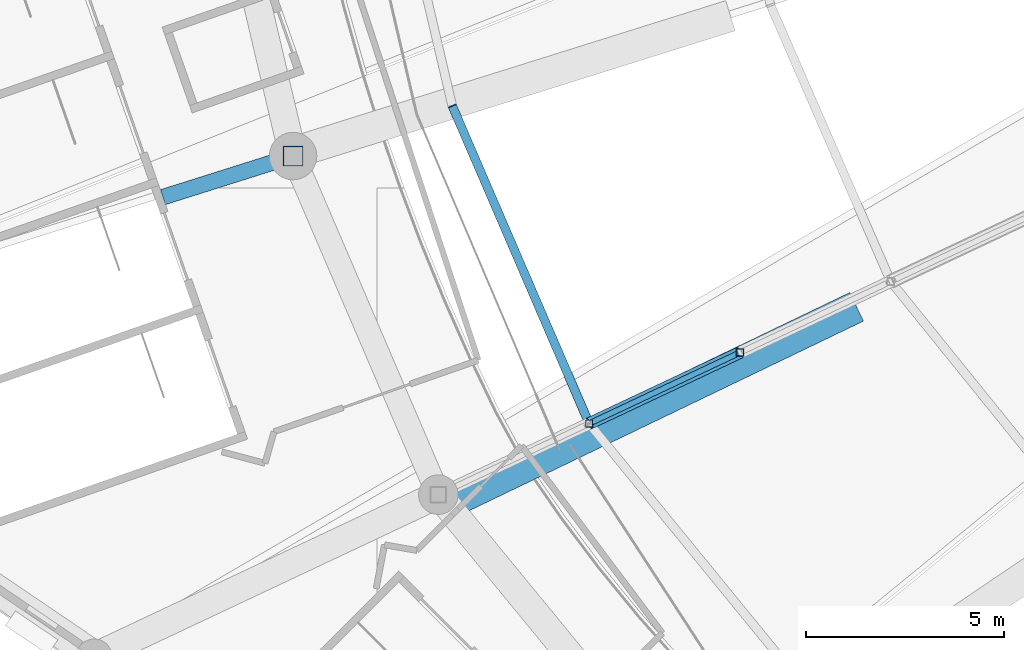
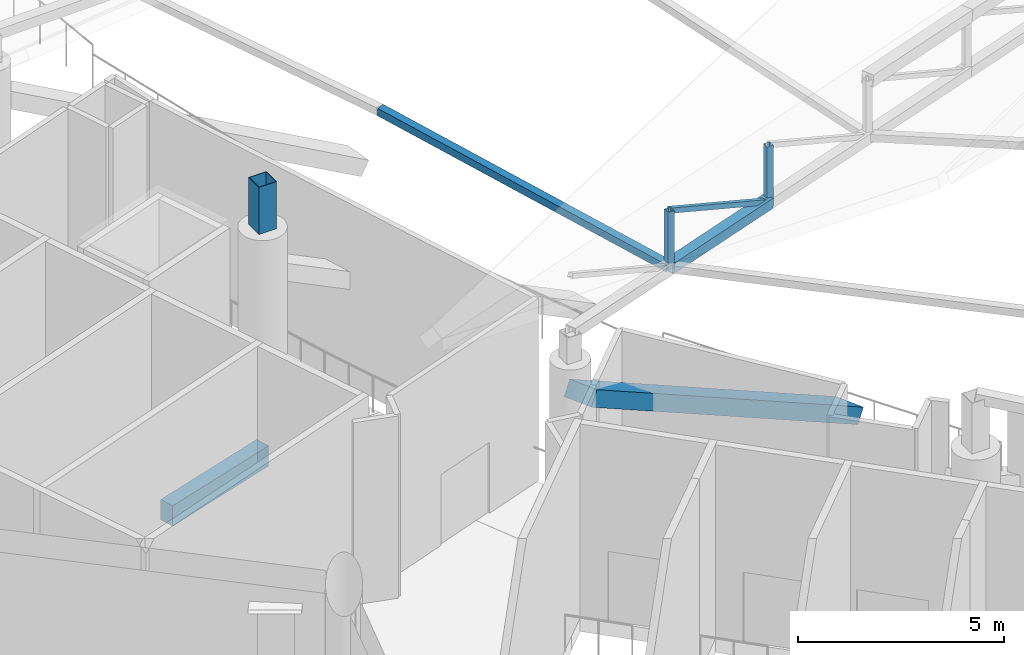
# One storey, part 15 of 344: 6 members, 2 beams.
"""IFC4 building model written with IfcOpenShell, lengths in metres."""

from ifc_helpers import new_model, si_unit, direction, frame, origin, origin_2d, place, context, subcontext, project, spatial, rectangle, hollow_rectangle, extrude, material, material_profile, profile_set, type_object, element, save


model = new_model("IFC4")

# Units and contexts
model_context = context("Model", 3, precision=1e-05, world=origin(), true_north=direction((0.0, 1.0)))
body_context = subcontext(model_context, "Body", "Model", "MODEL_VIEW")
ifc_project = project(units=[si_unit("LENGTHUNIT", "METRE"), si_unit("AREAUNIT", "SQUARE_METRE"), si_unit("VOLUMEUNIT", "CUBIC_METRE"), si_unit("PLANEANGLEUNIT", "RADIAN"), si_unit("MASSUNIT", "GRAM", prefix="KILO")], contexts=[model_context])

# Site, building, storey
site_placement = place(None, origin())
site = spatial("IfcSite", under=ifc_project, at=site_placement, CompositionType="ELEMENT")
building_placement = place(site_placement, origin())
building = spatial("IfcBuilding", under=site, at=building_placement, Name="Meseta Stadium", CompositionType="ELEMENT")
storey_placement = place(building_placement, frame((0.0, 0.0, 24.0)))
storey = spatial("IfcBuildingStorey", under=building, at=storey_placement, Name="L04", CompositionType="ELEMENT", Elevation=24.0)

# Beams
ifc_material_1 = material(Name="Concrete C40/50", Category="concrete")
ifc_material_profile_1 = material_profile(ifc_material_1, rectangle(XDim=0.39990234375, YDim=0.60009765625, at=origin_2d()), Name="RC 400x600")
ifc_profile_set_1 = profile_set([ifc_material_profile_1], Name="Concrete C40/50")
beam_type_1 = type_object("IfcBeamType", Name="RC beam 400x600", PredefinedType="BEAM", material=ifc_profile_set_1)
beam_1_placement = place(storey_placement, frame((-82.119873046875, -63.191162109375, -0.699951171875), z_axis=(-0.953578389502, -0.301144907105, 0.0), x_axis=(0.301144907105, -0.953578389502, 0.0)))
element("IfcBeam", 1, at=beam_1_placement, inside=storey, type_object=beam_type_1, Name="L04 radial beam frame 38 line P to R", PredefinedType="BEAM", context=body_context, shape_type="SweptSolid", body=[
    extrude(rectangle(XDim=0.39990234375, YDim=0.60009765625, at=origin_2d()), origin(), (0.0, 0.0, 1.0), 3.451904296875),
])
ifc_material_2 = material(Name="Concrete C40/50", Category="concrete")
ifc_material_profile_2 = material_profile(ifc_material_2, rectangle(XDim=0.800048828125, YDim=0.449951171875, at=origin_2d()), Name="RC 800x450")
ifc_profile_set_2 = profile_set([ifc_material_profile_2], Name="Concrete C40/50")
beam_type_2 = type_object("IfcBeamType", Name="RC raker upper rear 800x450", PredefinedType="USERDEFINED", material=ifc_profile_set_2)
beam_2_placement = place(storey_placement, frame((-67.972412109375, -67.057861328125, -2.061767578125), z_axis=(-0.764771479431, -0.367790726353, 0.529012822016), x_axis=(0.433401758165, -0.901200818919, 0.0)))
element("IfcBeam", 2, at=beam_2_placement, inside=storey, type_object=beam_type_2, Name="Raker upper rear frame 39 upper tier", ObjectType="RAKER", PredefinedType="USERDEFINED", context=body_context, shape_type="SweptSolid", body=[
    extrude(rectangle(XDim=0.800048828125, YDim=0.449951171875, at=origin_2d()), origin(), (0.0, 0.0, 1.0), 13.5244140625),
])

# Members
ifc_material_3 = material(Name="Steel S355", Category="steel")
ifc_material_profile_3 = material_profile(ifc_material_3, hollow_rectangle(XDim=0.139892578125, YDim=0.139892578125, WallThickness=0.0048828125, at=origin_2d()), Name="SHS 140x140x5")
ifc_profile_set_3 = profile_set([ifc_material_profile_3], Name="Steel S355")
member_type_1 = type_object("IfcMemberType", Name="SHS 140x140x5 diagonal", PredefinedType="BRACE", material=ifc_profile_set_3)
member_1_placement = place(storey_placement, frame((-70.81494140625, -68.16162109375, 5.8115234375), z_axis=(-0.804687036619, -0.379042764226, 0.456952246942), x_axis=(0.426134347878, -0.904659890544, 0.0)))
element("IfcMember", 3, at=member_1_placement, inside=storey, type_object=member_type_1, Name="ROOF TRUSS RT-39 diagonal", PredefinedType="BRACE", context=body_context, shape_type="SweptSolid", body=[
    extrude(hollow_rectangle(XDim=0.139892578125, YDim=0.139892578125, WallThickness=0.0048828125, at=origin_2d()), origin(), (0.0, 0.0, 1.0), 4.7412109375),
])
ifc_material_4 = material(Name="Steel S355", Category="steel")
ifc_material_profile_4 = material_profile(ifc_material_4, hollow_rectangle(XDim=0.179931640625, YDim=0.179931640625, WallThickness=0.00634765625, at=origin_2d()), Name="SHS 180x180x6.3")
ifc_profile_set_4 = profile_set([ifc_material_profile_4], Name="Steel S355")
member_type_2 = type_object("IfcMemberType", Name="SHS 180x180x6.3 post", PredefinedType="POST", material=ifc_profile_set_4)
member_2_placement = place(storey_placement, frame((-70.81494140625, -68.16162109375, 5.8115234375), z_axis=(0.0, 0.0, 1.0), x_axis=(1.0, 0.0, 0.0)))
element("IfcMember", 4, at=member_2_placement, inside=storey, type_object=member_type_2, Name="ROOF TRUSS RT-39 post", PredefinedType="POST", context=body_context, shape_type="SweptSolid", body=[
    extrude(hollow_rectangle(XDim=0.179931640625, YDim=0.179931640625, WallThickness=0.00634765625, at=origin_2d()), origin(), (0.0, 0.0, 1.0), 1.6796875),
])
member_3_placement = place(storey_placement, frame((-74.630126953125, -69.958740234375, 6.298583984375), z_axis=(0.0, 0.0, 1.0), x_axis=(1.0, 0.0, 0.0)))
element("IfcMember", 5, at=member_3_placement, inside=storey, type_object=member_type_2, Name="ROOF TRUSS RT-39 post", PredefinedType="POST", context=body_context, shape_type="SweptSolid", body=[
    extrude(hollow_rectangle(XDim=0.179931640625, YDim=0.179931640625, WallThickness=0.00634765625, at=origin_2d()), origin(), (0.0, 0.0, 1.0), 1.679443359375),
])
ifc_material_5 = material(Name="Steel S355", Category="steel")
ifc_material_profile_5 = material_profile(ifc_material_5, hollow_rectangle(XDim=0.219970703125, YDim=0.219970703125, WallThickness=0.008056640625, at=origin_2d()), Name="SHS 220x220x8")
ifc_profile_set_5 = profile_set([ifc_material_profile_5], Name="Steel S355")
member_type_3 = type_object("IfcMemberType", Name="SHS 220x220x8 strut", PredefinedType="STRUT", material=ifc_profile_set_5)
member_4_placement = place(storey_placement, frame((-78.093505859375, -61.919921875, 7.274658203125), z_axis=(0.393235058663, -0.912734440757, -0.110824317252), x_axis=(0.918391722166, 0.395672395622, 0.0)))
element("IfcMember", 6, at=member_4_placement, inside=storey, type_object=member_type_3, Name="ROOF TRUSS STRUT RT-38/39", PredefinedType="STRUT", context=body_context, shape_type="SweptSolid", body=[
    extrude(hollow_rectangle(XDim=0.219970703125, YDim=0.219970703125, WallThickness=0.008056640625, at=origin_2d()), origin(), (0.0, 0.0, 1.0), 8.807373046875),
])
ifc_material_6 = material(Name="Steel S355", Category="steel")
ifc_material_profile_6 = material_profile(ifc_material_6, hollow_rectangle(XDim=0.300048828125, YDim=0.300048828125, WallThickness=0.010009765625, at=origin_2d()), Name="SHS 300x300x10")
ifc_profile_set_6 = profile_set([ifc_material_profile_6], Name="Steel S355")
member_type_4 = type_object("IfcMemberType", Name="SHS 300x300x10 bottom chord", PredefinedType="CHORD", material=ifc_profile_set_6)
member_5_placement = place(storey_placement, frame((-70.81494140625, -68.16162109375, 5.8115234375), z_axis=(-0.898686205597, -0.42332048118, 0.114729569346), x_axis=(0.426134347878, -0.904659890544, 0.0)))
element("IfcMember", 7, at=member_5_placement, inside=storey, type_object=member_type_4, Name="ROOF TRUSS RT-39 bottom chord", PredefinedType="CHORD", context=body_context, shape_type="SweptSolid", body=[
    extrude(hollow_rectangle(XDim=0.300048828125, YDim=0.300048828125, WallThickness=0.010009765625, at=origin_2d()), origin(), (0.0, 0.0, 1.0), 4.245361328125),
])
ifc_material_7 = material(Name="Steel S355", Category="steel")
ifc_material_profile_7 = material_profile(ifc_material_7, hollow_rectangle(XDim=0.5, YDim=0.5, WallThickness=0.01611328125, at=origin_2d()), Name="SHS 500x500x16")
ifc_profile_set_7 = profile_set([ifc_material_profile_7], Name="Steel S355")
member_type_5 = type_object("IfcMemberType", Name="SHS 500x500x16 pedestal", PredefinedType="POST", material=ifc_profile_set_7)
member_6_placement = place(storey_placement, frame((-82.119873046875, -63.191162109375, 6.0), z_axis=(0.0, 0.0, 1.0), x_axis=(1.0, 0.0, 0.0)))
element("IfcMember", 8, at=member_6_placement, inside=storey, type_object=member_type_5, Name="ROOF TRUSS RT-38 pedestal", PredefinedType="POST", context=body_context, shape_type="SweptSolid", body=[
    extrude(hollow_rectangle(XDim=0.5, YDim=0.5, WallThickness=0.01611328125, at=origin_2d()), origin(), (0.0, 0.0, 1.0), 1.397216796875),
])

save(model, "model.ifc")
